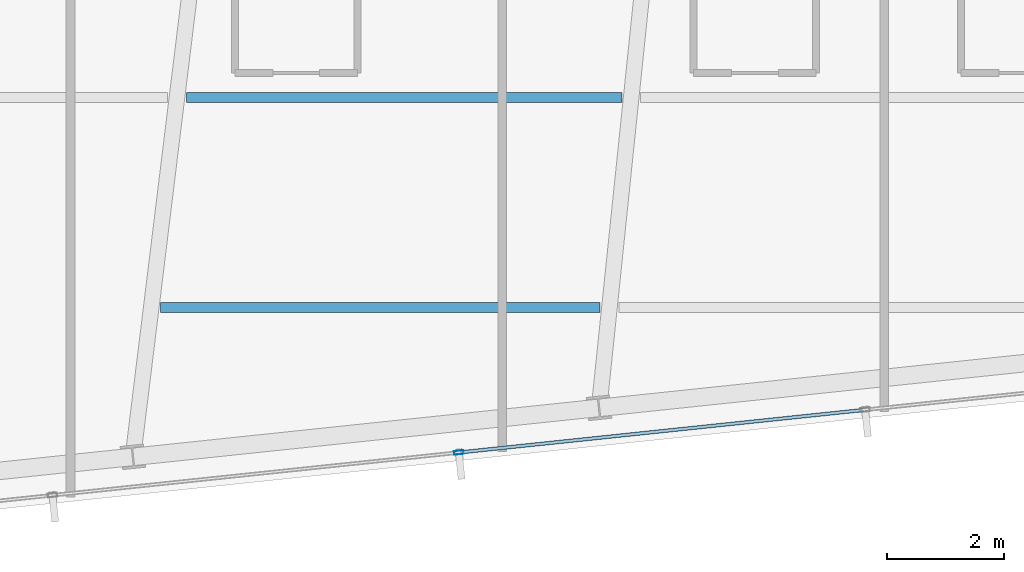
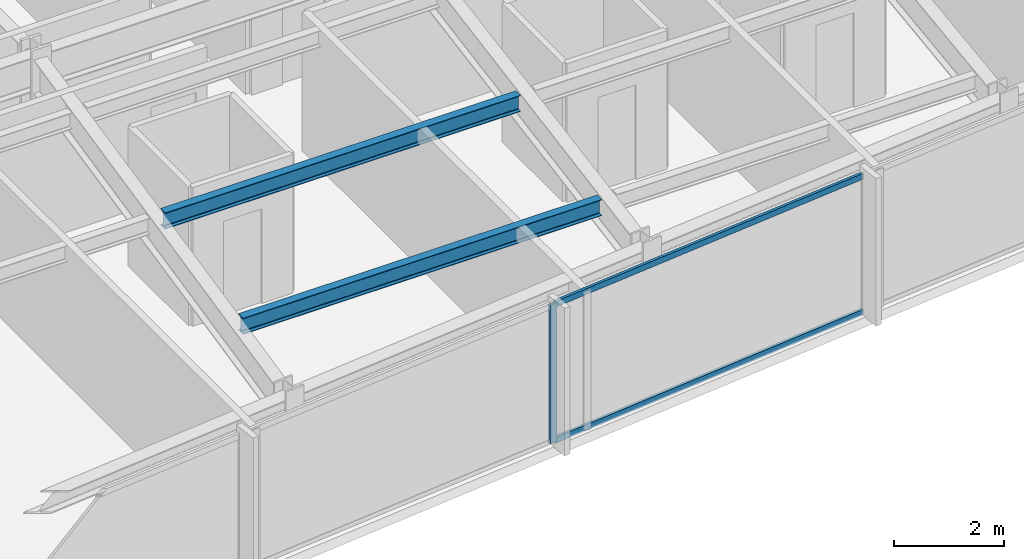
# One storey, part 7 of 33: 3 members, 2 beams, 1 element without a shape of its own.
"""IFC4 building model written with IfcOpenShell, lengths in metres."""

from ifc_helpers import new_model, si_unit, direction, frame, origin, origin_2d, place, context, subcontext, project, spatial, hollow_rectangle, i_section, extrude, material, material_profile, profile_set, type_object, element, aggregate, save


model = new_model("IFC4")

# Units and contexts
model_context = context("Model", 3, precision=1e-05, world=origin(), true_north=direction((0.0, 1.0)))
body_context = subcontext(model_context, "Body", "Model", "MODEL_VIEW")
ifc_project = project(units=[si_unit("LENGTHUNIT", "METRE"), si_unit("AREAUNIT", "SQUARE_METRE"), si_unit("VOLUMEUNIT", "CUBIC_METRE"), si_unit("PLANEANGLEUNIT", "RADIAN"), si_unit("MASSUNIT", "GRAM", prefix="KILO")], contexts=[model_context])

# Site, building, storey
site_placement = place(None, origin())
site = spatial("IfcSite", under=ifc_project, at=site_placement, CompositionType="ELEMENT")
building_placement = place(site_placement, origin())
building = spatial("IfcBuilding", under=site, at=building_placement, Name="Yelkora Congress Tower", CompositionType="ELEMENT")
storey_placement = place(building_placement, frame((0.0, 0.0, 221.0)))
storey = spatial("IfcBuildingStorey", under=building, at=storey_placement, Name="L61", CompositionType="ELEMENT", Elevation=221.0)

# Beams
ifc_material_1 = material(Name="Steel S355J2", Category="steel")
ifc_material_profile_1 = material_profile(ifc_material_1, i_section(OverallWidth=0.169921875, OverallDepth=0.360107421875, WebThickness=0.008056640625, FlangeThickness=0.0126953125, FilletRadius=0.01806640625, at=origin_2d()), Name="IPE 360")
ifc_profile_set_1 = profile_set([ifc_material_profile_1], Name="Steel S355J2")
beam_type = type_object("IfcBeamType", Name="BM-JOIST-IPE360", PredefinedType="JOIST", material=ifc_profile_set_1)
beam_1_placement = place(storey_placement, frame((29.76220703125, 16.07861328125, 2.89990234375), z_axis=(1.0, 0.0, 0.0), x_axis=(0.0, 1.0, 0.0)))
element("IfcBeam", 1, at=beam_1_placement, inside=storey, type_object=beam_type, Name="L61 Composite Floor Joist 1", PredefinedType="JOIST", context=body_context, shape_type="SweptSolid", body=[
    extrude(i_section(OverallWidth=0.169921875, OverallDepth=0.360107421875, WebThickness=0.008056640625, FlangeThickness=0.0126953125, FilletRadius=0.01806640625, at=origin_2d()), origin(), (0.0, 0.0, 1.0), 7.53369140625),
])
beam_2_placement = place(storey_placement, frame((30.203369140625, 19.678466796875, 2.89990234375), z_axis=(1.0, 0.0, 0.0), x_axis=(0.0, 1.0, 0.0)))
element("IfcBeam", 2, at=beam_2_placement, inside=storey, type_object=beam_type, Name="L61 Composite Floor Joist 4", PredefinedType="JOIST", context=body_context, shape_type="SweptSolid", body=[
    extrude(i_section(OverallWidth=0.169921875, OverallDepth=0.360107421875, WebThickness=0.008056640625, FlangeThickness=0.0126953125, FilletRadius=0.01806640625, at=origin_2d()), origin(), (0.0, 0.0, 1.0), 7.465087890625),
])

# Curtain wall, members
ifc_material_2 = material(Name="Anodised aluminium and insulated glass", Category="aluminium")
curtain_wall_type = type_object("IfcCurtainWallType", Name="CW-SYS-B4", PredefinedType="NOTDEFINED", material=ifc_material_2)
curtain_wall_placement = place(storey_placement, origin())
curtain_wall = element("IfcCurtainWall", 3, at=curtain_wall_placement, inside=storey, type_object=curtain_wall_type, Name="L61 Unitised Curtain Wall 20", PredefinedType="NOTDEFINED")
ifc_material_3 = material(Name="Anodised aluminium 6063-T6", Category="aluminium")
ifc_material_profile_2 = material_profile(ifc_material_3, hollow_rectangle(XDim=0.06494140625, YDim=0.159912109375, WallThickness=0.00390625, at=origin_2d()), Name="ALU 65x160x4")
ifc_profile_set_2 = profile_set([ifc_material_profile_2], Name="Anodised aluminium 6063-T6")
member_type_1 = type_object("IfcMemberType", Name="MEM-ML-B4", PredefinedType="MULLION", material=ifc_profile_set_2)
member_1_placement = place(storey_placement, frame((34.87353515625, 13.592529296875, 0.0), z_axis=(0.0, 0.0, 1.0), x_axis=(0.104526664994, -0.994522084373, 0.0)))
member_1 = element("IfcMember", 4, at=member_1_placement, type_object=member_type_1, Name="CW-B4 mullion 6", PredefinedType="MULLION", context=body_context, shape_type="SweptSolid", body=[
    extrude(hollow_rectangle(XDim=0.06494140625, YDim=0.159912109375, WallThickness=0.00390625, at=origin_2d()), origin(), (0.0, 0.0, 1.0), 3.080078125),
])
ifc_material_profile_3 = material_profile(ifc_material_3, hollow_rectangle(XDim=0.06005859375, YDim=0.1298828125, WallThickness=0.00390625, at=origin_2d()), Name="ALU 60x130x4")
ifc_profile_set_3 = profile_set([ifc_material_profile_3], Name="Anodised aluminium 6063-T6")
member_type_2 = type_object("IfcMemberType", Name="MEM-TR-B4", PredefinedType="USERDEFINED", material=ifc_profile_set_3)
member_2_placement = place(storey_placement, frame((41.8056640625, 14.321044921875, 0.030029296875), z_axis=(-0.99452317859, -0.104516253509, 0.0), x_axis=(0.104516253509, -0.99452317859, 0.0)))
member_2 = element("IfcMember", 5, at=member_2_placement, type_object=member_type_2, Name="CW-B4 transom 5.1", ObjectType="TRANSOM", PredefinedType="USERDEFINED", context=body_context, shape_type="SweptSolid", body=[
    extrude(hollow_rectangle(XDim=0.06005859375, YDim=0.1298828125, WallThickness=0.00390625, at=origin_2d()), origin(), (0.0, 0.0, 1.0), 6.937744140625),
])
member_3_placement = place(storey_placement, frame((41.8056640625, 14.321044921875, 3.050048828125), z_axis=(-0.99452317859, -0.104516253509, 0.0), x_axis=(0.104516253509, -0.99452317859, 0.0)))
member_3 = element("IfcMember", 6, at=member_3_placement, type_object=member_type_2, Name="CW-B4 transom 5.2", ObjectType="TRANSOM", PredefinedType="USERDEFINED", context=body_context, shape_type="SweptSolid", body=[
    extrude(hollow_rectangle(XDim=0.06005859375, YDim=0.1298828125, WallThickness=0.00390625, at=origin_2d()), origin(), (0.0, 0.0, 1.0), 6.937744140625),
])
aggregate(curtain_wall, [member_1, member_2, member_3])

save(model, "model.ifc")
